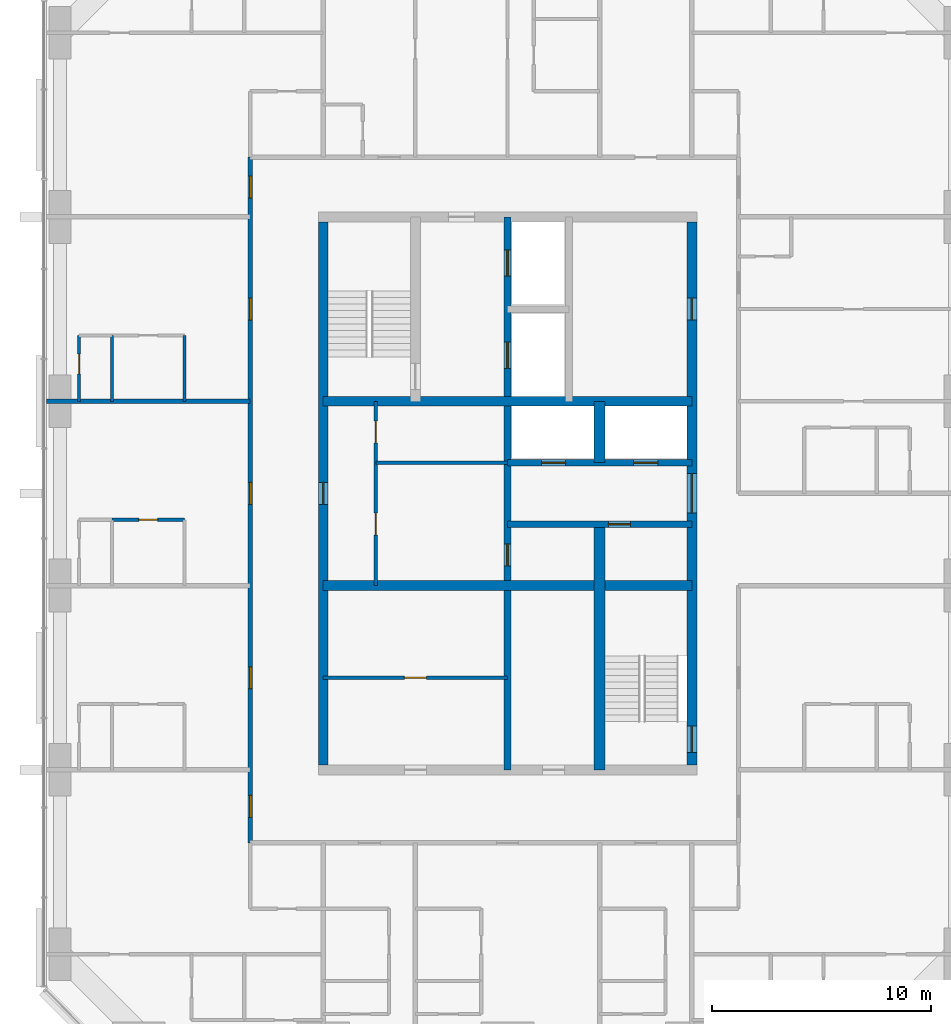
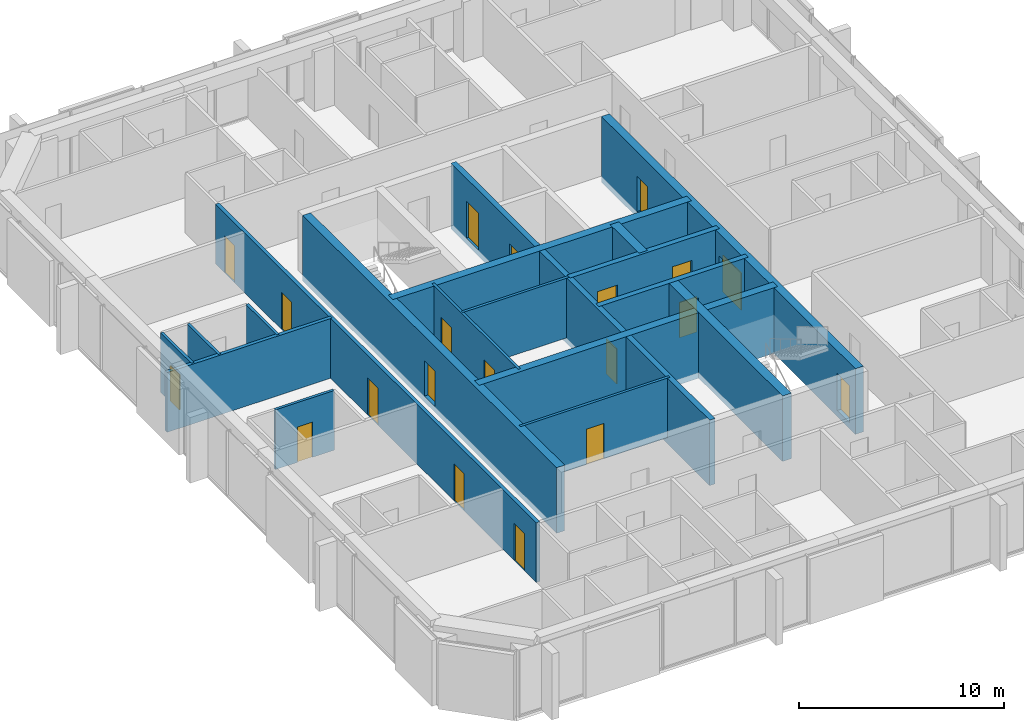
# One storey, part 8 of 12: 20 doors, 18 walls, 20 openings.
"""IFC4 building model written with IfcOpenShell, lengths in metres."""

from ifc_helpers import new_model, si_unit, direction, frame, frame_2d, origin, place, context, subcontext, project, spatial, rectangle, extrude, material, layer, layer_set, type_object, element, fill, save


model = new_model("IFC4")

# Units and contexts
model_context = context("Model", 3, precision=1e-05, world=origin(), true_north=direction((0.0, 1.0)))
body_context = subcontext(model_context, "Body", "Model", "MODEL_VIEW")
ifc_project = project(units=[si_unit("LENGTHUNIT", "METRE"), si_unit("AREAUNIT", "SQUARE_METRE"), si_unit("VOLUMEUNIT", "CUBIC_METRE"), si_unit("PLANEANGLEUNIT", "RADIAN"), si_unit("MASSUNIT", "GRAM", prefix="KILO")], contexts=[model_context])

# Site, building, storey
site_placement = place(None, origin())
site = spatial("IfcSite", under=ifc_project, at=site_placement, CompositionType="ELEMENT")
building_placement = place(site_placement, origin())
building = spatial("IfcBuilding", under=site, at=building_placement, Name="Dunama Terrace Hotel", CompositionType="ELEMENT")
storey_placement = place(building_placement, frame((0.0, 0.0, 249.0)))
storey = spatial("IfcBuildingStorey", under=building, at=storey_placement, Name="L64", CompositionType="ELEMENT", Elevation=249.0)

# Wall
ifc_material_1 = material(Name="Gypsum board partition", Category="masonry")
ifc_layer_1 = layer(ifc_material_1, 0.14990234375)
ifc_layer_set_1 = layer_set([ifc_layer_1], Name="Bathroom partition 150")
wall_type_1 = type_object("IfcWallType", Name="Bathroom partition 150", PredefinedType="PARTITIONING", material=ifc_layer_set_1)
wall_1_placement = place(storey_placement, frame((18.875, 33.60009765625, 0.0), z_axis=(0.0, 0.0, 1.0), x_axis=(0.0, 1.0, 0.0)))
element("IfcWall", 1, at=wall_1_placement, inside=storey, type_object=wall_type_1, Name="Bathroom partition 150 L64", PredefinedType="PARTITIONING", context=body_context, shape_type="SweptSolid", body=[
    extrude(rectangle(XDim=3.0, YDim=0.14990234375, at=frame_2d((1.5, 0.0))), origin(), (0.0, 0.0, 1.0), 3.550048828125),
])

# Wall, opening, door
wall_2_placement = place(storey_placement, frame((15.574951171875, 28.199951171875, 0.0), z_axis=(0.0, 0.0, 1.0), x_axis=(1.0, 0.0, 0.0)))
wall_2 = element("IfcWall", 2, at=wall_2_placement, inside=storey, type_object=wall_type_1, Name="Bathroom partition 150 L64", PredefinedType="PARTITIONING", context=body_context, shape_type="SweptSolid", body=[
    extrude(rectangle(XDim=3.300048828125, YDim=0.14990234375, at=frame_2d((1.64990234375, 0.0))), origin(), (0.0, 0.0, 1.0), 3.550048828125),
])
opening_1_placement = place(wall_2_placement, frame((1.22509765625, 0.0, 0.0)))
opening_1 = element("IfcOpeningElement", 3, at=opening_1_placement, cuts=wall_2, Name="Opening L62-64-036", PredefinedType="OPENING", context=body_context, shape_type="SweptSolid", body=[
    extrude(rectangle(XDim=0.85009765625, YDim=2.10009765625, at=frame_2d((0.425048828125, 1.050048828125))), frame((0.0, 0.0849609375, 0.0), z_axis=(0.0, -1.0, 0.0), x_axis=(1.0, 0.0, 0.0)), (0.0, 0.0, 1.0), 0.169921875),
])
ifc_material_2 = material(Name="Timber door with steel frame", Category="steel")
door_type_1 = type_object("IfcDoorType", Name="Bathroom door 850", OperationType="SINGLE_SWING_LEFT", PredefinedType="DOOR", material=ifc_material_2)
door_1_placement = place(opening_1_placement, frame((0.85009765625, 0.0, 0.0), z_axis=(0.0, 0.0, 1.0), x_axis=(-1.0, 0.0, 0.0)))
door_1 = element("IfcDoor", 4, at=door_1_placement, inside=storey, type_object=door_type_1, Name="Door to en-suite bathroom L62-64-036, type D2", OperationType="SINGLE_SWING_LEFT", OverallHeight=2.10009765625, OverallWidth=0.85009765625, PredefinedType="DOOR", context=body_context, shape_type="SweptSolid", body=[
    extrude(rectangle(XDim=0.85009765625, YDim=2.10009765625, at=frame_2d((0.425048828125, 1.050048828125))), frame((0.0, 0.025146484375, 0.0), z_axis=(0.0, -1.0, 0.0), x_axis=(1.0, 0.0, 0.0)), (0.0, 0.0, 1.0), 0.050048828125),
])
fill(opening_1, door_1)

# Wall, openings, doors
ifc_material_3 = material(Name="Concrete C50/60", Category="concrete")
ifc_layer_2 = layer(ifc_material_3, 0.300048828125)
ifc_layer_set_2 = layer_set([ifc_layer_2], Name="Core inner wall 300")
wall_type_2 = type_object("IfcWallType", Name="Core inner wall 300", PredefinedType="SHEAR", material=ifc_layer_set_2)
wall_3_placement = place(storey_placement, frame((33.60009765625, 16.800048828125, -0.35009765625), z_axis=(0.0, 0.0, 1.0), x_axis=(0.0, 1.0, 0.0)))
wall_3 = element("IfcWall", 5, at=wall_3_placement, inside=storey, type_object=wall_type_2, Name="Core inner wall 300 L64", PredefinedType="SHEAR", context=body_context, shape_type="SweptSolid", body=[
    extrude(rectangle(XDim=25.199951171875, YDim=0.300048828125, at=frame_2d((12.60009765625, 0.0))), origin(), (0.0, 0.0, 1.0), 3.900146484375),
])
opening_2_placement = place(wall_3_placement, frame((22.5, 0.0, 0.35009765625)))
opening_2 = element("IfcOpeningElement", 6, at=opening_2_placement, cuts=wall_3, Name="Opening L62-64-005", PredefinedType="OPENING", context=body_context, shape_type="SweptSolid", body=[
    extrude(rectangle(XDim=1.199951171875, YDim=2.199951171875, at=frame_2d((0.60009765625, 1.10009765625))), frame((0.0, 0.159912109375, 0.0), z_axis=(0.0, -1.0, 0.0), x_axis=(1.0, 0.0, 0.0)), (0.0, 0.0, 1.0), 0.320068359375),
])
opening_3_placement = place(wall_3_placement, frame((18.300048828125, 0.0, 0.35009765625)))
opening_3 = element("IfcOpeningElement", 7, at=opening_3_placement, cuts=wall_3, Name="Opening L62-64-006", PredefinedType="OPENING", context=body_context, shape_type="SweptSolid", body=[
    extrude(rectangle(XDim=1.199951171875, YDim=2.199951171875, at=frame_2d((0.60009765625, 1.10009765625))), frame((0.0, 0.159912109375, 0.0), z_axis=(0.0, -1.0, 0.0), x_axis=(1.0, 0.0, 0.0)), (0.0, 0.0, 1.0), 0.320068359375),
])
opening_4_placement = place(wall_3_placement, frame((9.300048828125, 0.0, 0.35009765625)))
opening_4 = element("IfcOpeningElement", 8, at=opening_4_placement, cuts=wall_3, Name="Opening L62-64-064", PredefinedType="OPENING", context=body_context, shape_type="SweptSolid", body=[
    extrude(rectangle(XDim=1.0, YDim=2.10009765625, at=frame_2d((0.5, 1.050048828125))), frame((0.0, 0.159912109375, 0.0), z_axis=(0.0, -1.0, 0.0), x_axis=(1.0, 0.0, 0.0)), (0.0, 0.0, 1.0), 0.320068359375),
])
ifc_material_4 = material(Name="Stainless steel lift door", Category="steel")
door_type_2 = type_object("IfcDoorType", Name="Firefighting lift landing door 1200", OperationType="DOUBLE_DOOR_SLIDING", PredefinedType="DOOR", material=ifc_material_4)
door_2_placement = place(opening_2_placement, origin())
door_2 = element("IfcDoor", 9, at=door_2_placement, inside=storey, type_object=door_type_2, Name="Landing door FL1 L62-64-005, type LD2", OperationType="DOUBLE_DOOR_SLIDING", OverallHeight=2.199951171875, OverallWidth=1.199951171875, PredefinedType="DOOR", context=body_context, shape_type="SweptSolid", body=[
    extrude(rectangle(XDim=1.199951171875, YDim=2.199951171875, at=frame_2d((0.60009765625, 1.10009765625))), frame((0.0, 0.02490234375, 0.0), z_axis=(0.0, -1.0, 0.0), x_axis=(1.0, 0.0, 0.0)), (0.0, 0.0, 1.0), 0.050048828125),
])
fill(opening_2, door_2)
door_3_placement = place(opening_3_placement, origin())
door_3 = element("IfcDoor", 10, at=door_3_placement, inside=storey, type_object=door_type_2, Name="Landing door FL2 L62-64-006, type LD2", OperationType="DOUBLE_DOOR_SLIDING", OverallHeight=2.199951171875, OverallWidth=1.199951171875, PredefinedType="DOOR", context=body_context, shape_type="SweptSolid", body=[
    extrude(rectangle(XDim=1.199951171875, YDim=2.199951171875, at=frame_2d((0.60009765625, 1.10009765625))), frame((0.0, 0.02490234375, 0.0), z_axis=(0.0, -1.0, 0.0), x_axis=(1.0, 0.0, 0.0)), (0.0, 0.0, 1.0), 0.050048828125),
])
fill(opening_3, door_3)
ifc_material_5 = material(Name="Timber door with steel frame", Category="steel")
door_type_3 = type_object("IfcDoorType", Name="Service door 1000", OperationType="SINGLE_SWING_LEFT", PredefinedType="DOOR", material=ifc_material_5)
door_4_placement = place(opening_4_placement, frame((1.0, 0.0, 0.0), z_axis=(0.0, 0.0, 1.0), x_axis=(-1.0, 0.0, 0.0)))
door_4 = element("IfcDoor", 11, at=door_4_placement, inside=storey, type_object=door_type_3, Name="Door to service riser L62-64-064, type D7", OperationType="SINGLE_SWING_RIGHT", OverallHeight=2.10009765625, OverallWidth=1.0, PredefinedType="DOOR", context=body_context, shape_type="SweptSolid", body=[
    extrude(rectangle(XDim=1.0, YDim=2.10009765625, at=frame_2d((0.5, 1.050048828125))), frame((0.0, 0.025146484375, 0.0), z_axis=(0.0, -1.0, 0.0), x_axis=(1.0, 0.0, 0.0)), (0.0, 0.0, 1.0), 0.050048828125),
])
fill(opening_4, door_4)

# Wall, opening, door
wall_4_placement = place(storey_placement, frame((33.60009765625, 28.0, -0.35009765625), z_axis=(0.0, 0.0, 1.0), x_axis=(1.0, 0.0, 0.0)))
wall_4 = element("IfcWall", 12, at=wall_4_placement, inside=storey, type_object=wall_type_2, Name="Core inner wall 300 L64", PredefinedType="SHEAR", context=body_context, shape_type="SweptSolid", body=[
    extrude(rectangle(XDim=8.39990234375, YDim=0.300048828125, at=frame_2d((4.199951171875, 0.0))), origin(), (0.0, 0.0, 1.0), 3.900146484375),
])
opening_5_placement = place(wall_4_placement, frame((4.60009765625, 0.0, 0.35009765625)))
opening_5 = element("IfcOpeningElement", 13, at=opening_5_placement, cuts=wall_4, Name="Opening L62-64-065", PredefinedType="OPENING", context=body_context, shape_type="SweptSolid", body=[
    extrude(rectangle(XDim=1.0, YDim=2.10009765625, at=frame_2d((0.5, 1.050048828125))), frame((0.0, 0.159912109375, 0.0), z_axis=(0.0, -1.0, 0.0), x_axis=(1.0, 0.0, 0.0)), (0.0, 0.0, 1.0), 0.320068359375),
])
door_5_placement = place(opening_5_placement, frame((1.0, 0.0, 0.0), z_axis=(0.0, 0.0, 1.0), x_axis=(-1.0, 0.0, 0.0)))
door_5 = element("IfcDoor", 14, at=door_5_placement, inside=storey, type_object=door_type_3, Name="Door to guest pantry L62-64-065, type D7", OperationType="SINGLE_SWING_RIGHT", OverallHeight=2.10009765625, OverallWidth=1.0, PredefinedType="DOOR", context=body_context, shape_type="SweptSolid", body=[
    extrude(rectangle(XDim=1.0, YDim=2.10009765625, at=frame_2d((0.5, 1.050048828125))), frame((0.0, 0.025146484375, 0.0), z_axis=(0.0, -1.0, 0.0), x_axis=(1.0, 0.0, 0.0)), (0.0, 0.0, 1.0), 0.050048828125),
])
fill(opening_5, door_5)

# Wall, openings, doors
wall_5_placement = place(storey_placement, frame((33.60009765625, 30.800048828125, -0.35009765625), z_axis=(0.0, 0.0, 1.0), x_axis=(1.0, 0.0, 0.0)))
wall_5 = element("IfcWall", 15, at=wall_5_placement, inside=storey, type_object=wall_type_2, Name="Core inner wall 300 L64", PredefinedType="SHEAR", context=body_context, shape_type="SweptSolid", body=[
    extrude(rectangle(XDim=8.39990234375, YDim=0.300048828125, at=frame_2d((4.199951171875, 0.0))), origin(), (0.0, 0.0, 1.0), 3.900146484375),
])
opening_6_placement = place(wall_5_placement, frame((1.550048828125, 0.0, 0.35009765625)))
opening_6 = element("IfcOpeningElement", 16, at=opening_6_placement, cuts=wall_5, Name="Opening L62-64-003", PredefinedType="OPENING", context=body_context, shape_type="SweptSolid", body=[
    extrude(rectangle(XDim=1.10009765625, YDim=2.199951171875, at=frame_2d((0.550048828125, 1.10009765625))), frame((0.0, 0.159912109375, 0.0), z_axis=(0.0, -1.0, 0.0), x_axis=(1.0, 0.0, 0.0)), (0.0, 0.0, 1.0), 0.320068359375),
])
opening_7_placement = place(wall_5_placement, frame((5.75, 0.0, 0.35009765625)))
opening_7 = element("IfcOpeningElement", 17, at=opening_7_placement, cuts=wall_5, Name="Opening L62-64-004", PredefinedType="OPENING", context=body_context, shape_type="SweptSolid", body=[
    extrude(rectangle(XDim=1.10009765625, YDim=2.199951171875, at=frame_2d((0.550048828125, 1.10009765625))), frame((0.0, 0.159912109375, 0.0), z_axis=(0.0, -1.0, 0.0), x_axis=(1.0, 0.0, 0.0)), (0.0, 0.0, 1.0), 0.320068359375),
])
ifc_material_6 = material(Name="Stainless steel lift door", Category="steel")
door_type_4 = type_object("IfcDoorType", Name="Lift landing door 1100", OperationType="DOUBLE_DOOR_SLIDING", PredefinedType="DOOR", material=ifc_material_6)
door_6_placement = place(opening_6_placement, origin())
door_6 = element("IfcDoor", 18, at=door_6_placement, inside=storey, type_object=door_type_4, Name="Landing door PD1 L62-64-003, type LD1", OperationType="DOUBLE_DOOR_SLIDING", OverallHeight=2.199951171875, OverallWidth=1.10009765625, PredefinedType="DOOR", context=body_context, shape_type="SweptSolid", body=[
    extrude(rectangle(XDim=1.10009765625, YDim=2.199951171875, at=frame_2d((0.550048828125, 1.10009765625))), frame((0.0, 0.02490234375, 0.0), z_axis=(0.0, -1.0, 0.0), x_axis=(1.0, 0.0, 0.0)), (0.0, 0.0, 1.0), 0.050048828125),
])
fill(opening_6, door_6)
door_7_placement = place(opening_7_placement, origin())
door_7 = element("IfcDoor", 19, at=door_7_placement, inside=storey, type_object=door_type_4, Name="Landing door PD2 L62-64-004, type LD1", OperationType="DOUBLE_DOOR_SLIDING", OverallHeight=2.199951171875, OverallWidth=1.10009765625, PredefinedType="DOOR", context=body_context, shape_type="SweptSolid", body=[
    extrude(rectangle(XDim=1.10009765625, YDim=2.199951171875, at=frame_2d((0.550048828125, 1.10009765625))), frame((0.0, 0.02490234375, 0.0), z_axis=(0.0, -1.0, 0.0), x_axis=(1.0, 0.0, 0.0)), (0.0, 0.0, 1.0), 0.050048828125),
])
fill(opening_7, door_7)

# Walls
ifc_material_7 = material(Name="Concrete C50/60", Category="concrete")
ifc_layer_3 = layer(ifc_material_7, 0.449951171875)
ifc_layer_set_3 = layer_set([ifc_layer_3], Name="Core inner wall 450")
wall_type_3 = type_object("IfcWallType", Name="Core inner wall 450", PredefinedType="SHEAR", material=ifc_layer_set_3)
for number, where, z_axis, x_axis, name in (
    (20, (25.199951171875, 25.199951171875, -0.35009765625), (0.0, 0.0, 1.0), (1.0, 0.0, 0.0), "Core inner wall 450 L64"),
    (21, (25.199951171875, 33.60009765625, -0.35009765625), (0.0, 0.0, 1.0), (1.0, 0.0, 0.0), "Core inner wall 450 L64"),
):
    element("IfcWall", number, at=place(storey_placement, frame(where, z_axis=z_axis, x_axis=x_axis)), inside=storey, type_object=wall_type_3, Name=name, PredefinedType="SHEAR", context=body_context, shape_type="SweptSolid", body=[
        extrude(rectangle(XDim=16.800048828125, YDim=0.449951171875, at=frame_2d((8.39990234375, 0.0))), origin(), (0.0, 0.0, 1.0), 3.900146484375),
    ])
ifc_material_8 = material(Name="Concrete C50/60", Category="concrete")
ifc_layer_4 = layer(ifc_material_8, 0.5)
ifc_layer_set_4 = layer_set([ifc_layer_4], Name="Core inner wall 500")
wall_type_4 = type_object("IfcWallType", Name="Core inner wall 500", PredefinedType="SHEAR", material=ifc_layer_set_4)
wall_6_placement = place(storey_placement, frame((37.800048828125, 16.800048828125, -0.35009765625), z_axis=(0.0, 0.0, 1.0), x_axis=(0.0, 1.0, 0.0)))
element("IfcWall", 22, at=wall_6_placement, inside=storey, type_object=wall_type_4, Name="Core inner wall 500 L64", PredefinedType="SHEAR", context=body_context, shape_type="SweptSolid", body=[
    extrude(rectangle(XDim=11.199951171875, YDim=0.5, at=frame_2d((5.60009765625, 0.0))), origin(), (0.0, 0.0, 1.0), 3.900146484375),
])
wall_7_placement = place(storey_placement, frame((37.800048828125, 30.800048828125, -0.35009765625), z_axis=(0.0, 0.0, 1.0), x_axis=(0.0, 1.0, 0.0)))
element("IfcWall", 23, at=wall_7_placement, inside=storey, type_object=wall_type_4, Name="Core inner wall 500 L64", PredefinedType="SHEAR", context=body_context, shape_type="SweptSolid", body=[
    extrude(rectangle(XDim=2.800048828125, YDim=0.5, at=frame_2d((1.39990234375, 0.0))), origin(), (0.0, 0.0, 1.0), 3.900146484375),
])

# Wall, openings, doors
ifc_material_9 = material(Name="Concrete C50/60", Category="concrete")
ifc_layer_5 = layer(ifc_material_9, 0.449951171875)
ifc_layer_set_5 = layer_set([ifc_layer_5], Name="Core wall 450")
wall_type_5 = type_object("IfcWallType", Name="Core wall 450", PredefinedType="SHEAR", material=ifc_layer_set_5)
wall_8_placement = place(storey_placement, frame((42.0, 17.02490234375, -0.35009765625), z_axis=(0.0, 0.0, 1.0), x_axis=(0.0, 1.0, 0.0)))
wall_8 = element("IfcWall", 24, at=wall_8_placement, inside=storey, type_object=wall_type_5, Name="Core wall east L64", PredefinedType="SHEAR", context=body_context, shape_type="SweptSolid", body=[
    extrude(rectangle(XDim=24.75, YDim=0.449951171875, at=frame_2d((12.375, 0.0))), origin(), (0.0, 0.0, 1.0), 3.900146484375),
])
opening_8_placement = place(wall_8_placement, frame((0.574951171875, 0.0, 0.35009765625)))
opening_8 = element("IfcOpeningElement", 25, at=opening_8_placement, cuts=wall_8, Name="Opening L62-64-002", PredefinedType="OPENING", context=body_context, shape_type="SweptSolid", body=[
    extrude(rectangle(XDim=1.199951171875, YDim=2.199951171875, at=frame_2d((0.60009765625, 1.10009765625))), frame((0.0, 0.23486328125, 0.0), z_axis=(0.0, -1.0, 0.0), x_axis=(1.0, 0.0, 0.0)), (0.0, 0.0, 1.0), 0.469970703125),
])
opening_9_placement = place(wall_8_placement, frame((11.47509765625, 0.0, 0.35009765625)))
opening_9 = element("IfcOpeningElement", 26, at=opening_9_placement, cuts=wall_8, Name="Opening L62-64-066", PredefinedType="OPENING", context=body_context, shape_type="SweptSolid", body=[
    extrude(rectangle(XDim=1.800048828125, YDim=2.199951171875, at=frame_2d((0.89990234375, 1.10009765625))), frame((0.0, 0.23486328125, 0.0), z_axis=(0.0, -1.0, 0.0), x_axis=(1.0, 0.0, 0.0)), (0.0, 0.0, 1.0), 0.469970703125),
])
opening_10_placement = place(wall_8_placement, frame((20.27490234375, 0.0, 0.35009765625)))
opening_10 = element("IfcOpeningElement", 27, at=opening_10_placement, cuts=wall_8, Name="Opening L62-64-068", PredefinedType="OPENING", context=body_context, shape_type="SweptSolid", body=[
    extrude(rectangle(XDim=1.0, YDim=2.10009765625, at=frame_2d((0.5, 1.050048828125))), frame((0.0, 0.23486328125, 0.0), z_axis=(0.0, -1.0, 0.0), x_axis=(1.0, 0.0, 0.0)), (0.0, 0.0, 1.0), 0.469970703125),
])
ifc_material_10 = material(Name="Timber door with steel frame", Category="steel")
door_type_5 = type_object("IfcDoorType", Name="Lift lobby double door 1800", OperationType="DOUBLE_DOOR_DOUBLE_SWING", PredefinedType="DOOR", material=ifc_material_10)
door_8_placement = place(opening_9_placement, origin())
door_8 = element("IfcDoor", 28, at=door_8_placement, inside=storey, type_object=door_type_5, Name="Door to lift lobby L62-64-066, type D3", OperationType="DOUBLE_DOOR_DOUBLE_SWING", OverallHeight=2.199951171875, OverallWidth=1.800048828125, PredefinedType="DOOR", context=body_context, shape_type="SweptSolid", body=[
    extrude(rectangle(XDim=1.800048828125, YDim=2.199951171875, at=frame_2d((0.89990234375, 1.10009765625))), frame((0.0, 0.02490234375, 0.0), z_axis=(0.0, -1.0, 0.0), x_axis=(1.0, 0.0, 0.0)), (0.0, 0.0, 1.0), 0.050048828125),
])
fill(opening_9, door_8)
door_9_placement = place(opening_10_placement, origin())
door_9 = element("IfcDoor", 29, at=door_9_placement, inside=storey, type_object=door_type_3, Name="Door to ice and vending room L62-64-068, type D7", OperationType="SINGLE_SWING_LEFT", OverallHeight=2.10009765625, OverallWidth=1.0, PredefinedType="DOOR", context=body_context, shape_type="SweptSolid", body=[
    extrude(rectangle(XDim=1.0, YDim=2.10009765625, at=frame_2d((0.5, 1.050048828125))), frame((0.0, 0.02490234375, 0.0), z_axis=(0.0, -1.0, 0.0), x_axis=(1.0, 0.0, 0.0)), (0.0, 0.0, 1.0), 0.050048828125),
])
fill(opening_10, door_9)
ifc_material_11 = material(Name="Timber door with steel frame", Category="steel")
door_type_6 = type_object("IfcDoorType", Name="Stair door 1200", OperationType="SINGLE_SWING_LEFT", PredefinedType="DOOR", material=ifc_material_11)
door_10_placement = place(opening_8_placement, origin())
door_10 = element("IfcDoor", 30, at=door_10_placement, inside=storey, type_object=door_type_6, Name="Stair door ST2 L62-64-002, type D5", OperationType="SINGLE_SWING_LEFT", OverallHeight=2.199951171875, OverallWidth=1.199951171875, PredefinedType="DOOR", context=body_context, shape_type="SweptSolid", body=[
    extrude(rectangle(XDim=1.199951171875, YDim=2.199951171875, at=frame_2d((0.60009765625, 1.10009765625))), frame((0.0, 0.02490234375, 0.0), z_axis=(0.0, -1.0, 0.0), x_axis=(1.0, 0.0, 0.0)), (0.0, 0.0, 1.0), 0.050048828125),
])
fill(opening_8, door_10)

# Wall, opening, door
wall_9_placement = place(storey_placement, frame((25.199951171875, 41.77490234375, -0.35009765625), z_axis=(0.0, 0.0, 1.0), x_axis=(0.0, -1.0, 0.0)))
wall_9 = element("IfcWall", 31, at=wall_9_placement, inside=storey, type_object=wall_type_5, Name="Core wall west L64", PredefinedType="SHEAR", context=body_context, shape_type="SweptSolid", body=[
    extrude(rectangle(XDim=24.75, YDim=0.449951171875, at=frame_2d((12.375, 0.0))), origin(), (0.0, 0.0, 1.0), 3.900146484375),
])
opening_11_placement = place(wall_9_placement, frame((11.875, 0.0, 0.35009765625)))
opening_11 = element("IfcOpeningElement", 32, at=opening_11_placement, cuts=wall_9, Name="Opening L62-64-061", PredefinedType="OPENING", context=body_context, shape_type="SweptSolid", body=[
    extrude(rectangle(XDim=1.0, YDim=2.10009765625, at=frame_2d((0.5, 1.050048828125))), frame((0.0, 0.23486328125, 0.0), z_axis=(0.0, -1.0, 0.0), x_axis=(1.0, 0.0, 0.0)), (0.0, 0.0, 1.0), 0.469970703125),
])
door_11_placement = place(opening_11_placement, origin())
door_11 = element("IfcDoor", 33, at=door_11_placement, inside=storey, type_object=door_type_3, Name="Door to staff passage L62-64-061, type D7", OperationType="SINGLE_SWING_LEFT", OverallHeight=2.10009765625, OverallWidth=1.0, PredefinedType="DOOR", context=body_context, shape_type="SweptSolid", body=[
    extrude(rectangle(XDim=1.0, YDim=2.10009765625, at=frame_2d((0.5, 1.050048828125))), frame((0.0, 0.02490234375, 0.0), z_axis=(0.0, -1.0, 0.0), x_axis=(1.0, 0.0, 0.0)), (0.0, 0.0, 1.0), 0.050048828125),
])
fill(opening_11, door_11)

# Wall, openings, doors
ifc_material_12 = material(Name="Concrete blockwork", Category="masonry")
ifc_layer_6 = layer(ifc_material_12, 0.199951171875)
ifc_layer_set_6 = layer_set([ifc_layer_6], Name="Corridor partition 200")
wall_type_6 = type_object("IfcWallType", Name="Corridor partition 200", PredefinedType="PARTITIONING", material=ifc_layer_set_6)
wall_10_placement = place(storey_placement, frame((21.875, 13.47509765625, 0.0), z_axis=(0.0, 0.0, 1.0), x_axis=(0.0, 1.0, 0.0)))
wall_10 = element("IfcWall", 34, at=wall_10_placement, inside=storey, type_object=wall_type_6, Name="Corridor partition 200 L64", PredefinedType="PARTITIONING", context=body_context, shape_type="SweptSolid", body=[
    extrude(rectangle(XDim=31.25, YDim=0.199951171875, at=frame_2d((15.625, 0.0))), origin(), (0.0, 0.0, 1.0), 3.550048828125),
])
opening_12_placement = place(wall_10_placement, frame((7.02490234375, 0.0, 0.0)))
opening_12 = element("IfcOpeningElement", 35, at=opening_12_placement, cuts=wall_10, Name="Opening L62-64-032", PredefinedType="OPENING", context=body_context, shape_type="SweptSolid", body=[
    extrude(rectangle(XDim=1.0, YDim=2.199951171875, at=frame_2d((0.5, 1.10009765625))), frame((0.0, 0.10986328125, 0.0), z_axis=(0.0, -1.0, 0.0), x_axis=(1.0, 0.0, 0.0)), (0.0, 0.0, 1.0), 0.219970703125),
])
opening_13_placement = place(wall_10_placement, frame((15.425048828125, 0.0, 0.0)))
opening_13 = element("IfcOpeningElement", 36, at=opening_13_placement, cuts=wall_10, Name="Opening L62-64-035", PredefinedType="OPENING", context=body_context, shape_type="SweptSolid", body=[
    extrude(rectangle(XDim=1.0, YDim=2.199951171875, at=frame_2d((0.5, 1.10009765625))), frame((0.0, 0.10986328125, 0.0), z_axis=(0.0, -1.0, 0.0), x_axis=(1.0, 0.0, 0.0)), (0.0, 0.0, 1.0), 0.219970703125),
])
opening_14_placement = place(wall_10_placement, frame((23.824951171875, 0.0, 0.0)))
opening_14 = element("IfcOpeningElement", 37, at=opening_14_placement, cuts=wall_10, Name="Opening L62-64-038", PredefinedType="OPENING", context=body_context, shape_type="SweptSolid", body=[
    extrude(rectangle(XDim=1.0, YDim=2.199951171875, at=frame_2d((0.5, 1.10009765625))), frame((0.0, 0.10986328125, 0.0), z_axis=(0.0, -1.0, 0.0), x_axis=(1.0, 0.0, 0.0)), (0.0, 0.0, 1.0), 0.219970703125),
])
opening_15_placement = place(wall_10_placement, frame((1.162109375, 0.0, 0.0)))
opening_15 = element("IfcOpeningElement", 38, at=opening_15_placement, cuts=wall_10, Name="Opening L62-64-041", PredefinedType="OPENING", context=body_context, shape_type="SweptSolid", body=[
    extrude(rectangle(XDim=1.0, YDim=2.199951171875, at=frame_2d((0.5, 1.10009765625))), frame((0.0, 0.10986328125, 0.0), z_axis=(0.0, -1.0, 0.0), x_axis=(1.0, 0.0, 0.0)), (0.0, 0.0, 1.0), 0.219970703125),
])
opening_16_placement = place(wall_10_placement, frame((29.386962890625, 0.0, 0.0)))
opening_16 = element("IfcOpeningElement", 39, at=opening_16_placement, cuts=wall_10, Name="Opening L62-64-056", PredefinedType="OPENING", context=body_context, shape_type="SweptSolid", body=[
    extrude(rectangle(XDim=1.0, YDim=2.199951171875, at=frame_2d((0.5, 1.10009765625))), frame((0.0, 0.10986328125, 0.0), z_axis=(0.0, -1.0, 0.0), x_axis=(1.0, 0.0, 0.0)), (0.0, 0.0, 1.0), 0.219970703125),
])
ifc_material_13 = material(Name="Timber door with steel frame", Category="steel")
door_type_7 = type_object("IfcDoorType", Name="Guest room door 1000", OperationType="SINGLE_SWING_LEFT", PredefinedType="DOOR", material=ifc_material_13)
door_12_placement = place(opening_12_placement, origin())
door_12 = element("IfcDoor", 40, at=door_12_placement, inside=storey, type_object=door_type_7, Name="Door to junior suite L62-64-032, type D1", OperationType="SINGLE_SWING_LEFT", OverallHeight=2.199951171875, OverallWidth=1.0, PredefinedType="DOOR", context=body_context, shape_type="SweptSolid", body=[
    extrude(rectangle(XDim=1.0, YDim=2.199951171875, at=frame_2d((0.5, 1.10009765625))), frame((0.0, 0.02490234375, 0.0), z_axis=(0.0, -1.0, 0.0), x_axis=(1.0, 0.0, 0.0)), (0.0, 0.0, 1.0), 0.050048828125),
])
fill(opening_12, door_12)
door_13_placement = place(opening_13_placement, origin())
door_13 = element("IfcDoor", 41, at=door_13_placement, inside=storey, type_object=door_type_7, Name="Door to junior suite L62-64-035, type D1", OperationType="SINGLE_SWING_LEFT", OverallHeight=2.199951171875, OverallWidth=1.0, PredefinedType="DOOR", context=body_context, shape_type="SweptSolid", body=[
    extrude(rectangle(XDim=1.0, YDim=2.199951171875, at=frame_2d((0.5, 1.10009765625))), frame((0.0, 0.02490234375, 0.0), z_axis=(0.0, -1.0, 0.0), x_axis=(1.0, 0.0, 0.0)), (0.0, 0.0, 1.0), 0.050048828125),
])
fill(opening_13, door_13)
door_14_placement = place(opening_14_placement, origin())
door_14 = element("IfcDoor", 42, at=door_14_placement, inside=storey, type_object=door_type_7, Name="Door to junior suite L62-64-038, type D1", OperationType="SINGLE_SWING_LEFT", OverallHeight=2.199951171875, OverallWidth=1.0, PredefinedType="DOOR", context=body_context, shape_type="SweptSolid", body=[
    extrude(rectangle(XDim=1.0, YDim=2.199951171875, at=frame_2d((0.5, 1.10009765625))), frame((0.0, 0.02490234375, 0.0), z_axis=(0.0, -1.0, 0.0), x_axis=(1.0, 0.0, 0.0)), (0.0, 0.0, 1.0), 0.050048828125),
])
fill(opening_14, door_14)
door_15_placement = place(opening_15_placement, origin())
door_15 = element("IfcDoor", 43, at=door_15_placement, inside=storey, type_object=door_type_7, Name="Door to grand corner suite living room L62-64-041, type D1", OperationType="SINGLE_SWING_LEFT", OverallHeight=2.199951171875, OverallWidth=1.0, PredefinedType="DOOR", context=body_context, shape_type="SweptSolid", body=[
    extrude(rectangle(XDim=1.0, YDim=2.199951171875, at=frame_2d((0.5, 1.10009765625))), frame((0.0, 0.02490234375, 0.0), z_axis=(0.0, -1.0, 0.0), x_axis=(1.0, 0.0, 0.0)), (0.0, 0.0, 1.0), 0.050048828125),
])
fill(opening_15, door_15)
door_16_placement = place(opening_16_placement, origin())
door_16 = element("IfcDoor", 44, at=door_16_placement, inside=storey, type_object=door_type_7, Name="Door to grand corner suite living room L62-64-056, type D1", OperationType="SINGLE_SWING_LEFT", OverallHeight=2.199951171875, OverallWidth=1.0, PredefinedType="DOOR", context=body_context, shape_type="SweptSolid", body=[
    extrude(rectangle(XDim=1.0, YDim=2.199951171875, at=frame_2d((0.5, 1.10009765625))), frame((0.0, 0.02490234375, 0.0), z_axis=(0.0, -1.0, 0.0), x_axis=(1.0, 0.0, 0.0)), (0.0, 0.0, 1.0), 0.050048828125),
])
fill(opening_16, door_16)

# Wall
ifc_material_14 = material(Name="Concrete blockwork", Category="masonry")
ifc_layer_7 = layer(ifc_material_14, 0.199951171875)
ifc_layer_set_7 = layer_set([ifc_layer_7], Name="Party wall 200")
wall_type_7 = type_object("IfcWallType", Name="Party wall 200", PredefinedType="PARTITIONING", material=ifc_layer_set_7)
wall_11_placement = place(storey_placement, frame((12.58203125, 33.60009765625, 0.0), z_axis=(0.0, 0.0, 1.0), x_axis=(1.0, 0.0, 0.0)))
element("IfcWall", 45, at=wall_11_placement, inside=storey, type_object=wall_type_7, Name="Party wall 200 L64", PredefinedType="PARTITIONING", context=body_context, shape_type="SweptSolid", body=[
    extrude(rectangle(XDim=9.29296875, YDim=0.199951171875, at=frame_2d((4.646484375, 0.0))), origin(), (0.0, 0.0, 1.0), 3.550048828125),
])

# Wall, opening, door
ifc_material_15 = material(Name="Gypsum board partition", Category="masonry")
ifc_layer_8 = layer(ifc_material_15, 0.14990234375)
ifc_layer_set_8 = layer_set([ifc_layer_8], Name="Room partition 150")
wall_type_8 = type_object("IfcWallType", Name="Room partition 150", PredefinedType="PARTITIONING", material=ifc_layer_set_8)
wall_12_placement = place(storey_placement, frame((14.074951171875, 33.60009765625, 0.0), z_axis=(0.0, 0.0, 1.0), x_axis=(0.0, 1.0, 0.0)))
wall_12 = element("IfcWall", 46, at=wall_12_placement, inside=storey, type_object=wall_type_8, Name="Room partition 150 L64", PredefinedType="PARTITIONING", context=body_context, shape_type="SweptSolid", body=[
    extrude(rectangle(XDim=3.0, YDim=0.14990234375, at=frame_2d((1.5, 0.0))), origin(), (0.0, 0.0, 1.0), 3.550048828125),
])
opening_17_placement = place(wall_12_placement, frame((1.25, 0.0, 0.0)))
opening_17 = element("IfcOpeningElement", 47, at=opening_17_placement, cuts=wall_12, Name="Opening L62-64-040", PredefinedType="OPENING", context=body_context, shape_type="SweptSolid", body=[
    extrude(rectangle(XDim=0.89990234375, YDim=2.10009765625, at=frame_2d((0.449951171875, 1.050048828125))), frame((0.0, 0.0849609375, 0.0), z_axis=(0.0, -1.0, 0.0), x_axis=(1.0, 0.0, 0.0)), (0.0, 0.0, 1.0), 0.169921875),
])
ifc_material_16 = material(Name="Timber door with steel frame", Category="steel")
door_type_8 = type_object("IfcDoorType", Name="Suite internal door 900", OperationType="SINGLE_SWING_LEFT", PredefinedType="DOOR", material=ifc_material_16)
door_17_placement = place(opening_17_placement, frame((0.89990234375, 0.0, 0.0), z_axis=(0.0, 0.0, 1.0), x_axis=(-1.0, 0.0, 0.0)))
door_17 = element("IfcDoor", 48, at=door_17_placement, inside=storey, type_object=door_type_8, Name="Door to walk-in wardrobe L62-64-040, type D16", OperationType="SINGLE_SWING_RIGHT", OverallHeight=2.10009765625, OverallWidth=0.89990234375, PredefinedType="DOOR", context=body_context, shape_type="SweptSolid", body=[
    extrude(rectangle(XDim=0.89990234375, YDim=2.10009765625, at=frame_2d((0.449951171875, 1.050048828125))), frame((0.0, 0.025146484375, 0.0), z_axis=(0.0, -1.0, 0.0), x_axis=(1.0, 0.0, 0.0)), (0.0, 0.0, 1.0), 0.050048828125),
])
fill(opening_17, door_17)

# Wall
wall_13_placement = place(storey_placement, frame((15.574951171875, 33.60009765625, 0.0), z_axis=(0.0, 0.0, 1.0), x_axis=(0.0, 1.0, 0.0)))
element("IfcWall", 49, at=wall_13_placement, inside=storey, type_object=wall_type_8, Name="Room partition 150 L64", PredefinedType="PARTITIONING", context=body_context, shape_type="SweptSolid", body=[
    extrude(rectangle(XDim=3.0, YDim=0.14990234375, at=frame_2d((1.5, 0.0))), origin(), (0.0, 0.0, 1.0), 3.550048828125),
])

# Wall, openings, doors
wall_14_placement = place(storey_placement, frame((27.60009765625, 25.199951171875, 0.0), z_axis=(0.0, 0.0, 1.0), x_axis=(0.0, 1.0, 0.0)))
wall_14 = element("IfcWall", 50, at=wall_14_placement, inside=storey, type_object=wall_type_8, Name="Room partition 150 L64", PredefinedType="PARTITIONING", context=body_context, shape_type="SweptSolid", body=[
    extrude(rectangle(XDim=8.400146484375, YDim=0.14990234375, at=frame_2d((4.2001953125, 0.0))), origin(), (0.0, 0.0, 1.0), 3.550048828125),
])
opening_18_placement = place(wall_14_placement, frame((2.300048828125, 0.0, 0.0)))
opening_18 = element("IfcOpeningElement", 51, at=opening_18_placement, cuts=wall_14, Name="Opening L62-64-062", PredefinedType="OPENING", context=body_context, shape_type="SweptSolid", body=[
    extrude(rectangle(XDim=1.0, YDim=2.10009765625, at=frame_2d((0.5, 1.050048828125))), frame((0.0, 0.0849609375, 0.0), z_axis=(0.0, -1.0, 0.0), x_axis=(1.0, 0.0, 0.0)), (0.0, 0.0, 1.0), 0.169921875),
])
opening_19_placement = place(wall_14_placement, frame((6.5, 0.0, 0.0)))
opening_19 = element("IfcOpeningElement", 52, at=opening_19_placement, cuts=wall_14, Name="Opening L62-64-063", PredefinedType="OPENING", context=body_context, shape_type="SweptSolid", body=[
    extrude(rectangle(XDim=1.0, YDim=2.10009765625, at=frame_2d((0.5, 1.050048828125))), frame((0.0, 0.0849609375, 0.0), z_axis=(0.0, -1.0, 0.0), x_axis=(1.0, 0.0, 0.0)), (0.0, 0.0, 1.0), 0.169921875),
])
door_18_placement = place(opening_18_placement, frame((1.0, 0.0, 0.0), z_axis=(0.0, 0.0, 1.0), x_axis=(-1.0, 0.0, 0.0)))
door_18 = element("IfcDoor", 53, at=door_18_placement, inside=storey, type_object=door_type_3, Name="Door to riser room L62-64-062, type D7", OperationType="SINGLE_SWING_RIGHT", OverallHeight=2.10009765625, OverallWidth=1.0, PredefinedType="DOOR", context=body_context, shape_type="SweptSolid", body=[
    extrude(rectangle(XDim=1.0, YDim=2.10009765625, at=frame_2d((0.5, 1.050048828125))), frame((0.0, 0.025146484375, 0.0), z_axis=(0.0, -1.0, 0.0), x_axis=(1.0, 0.0, 0.0)), (0.0, 0.0, 1.0), 0.050048828125),
])
fill(opening_18, door_18)
door_19_placement = place(opening_19_placement, frame((1.0, 0.0, 0.0), z_axis=(0.0, 0.0, 1.0), x_axis=(-1.0, 0.0, 0.0)))
door_19 = element("IfcDoor", 54, at=door_19_placement, inside=storey, type_object=door_type_3, Name="Door to staff locker room L62-64-063, type D7", OperationType="SINGLE_SWING_LEFT", OverallHeight=2.10009765625, OverallWidth=1.0, PredefinedType="DOOR", context=body_context, shape_type="SweptSolid", body=[
    extrude(rectangle(XDim=1.0, YDim=2.10009765625, at=frame_2d((0.5, 1.050048828125))), frame((0.0, 0.025146484375, 0.0), z_axis=(0.0, -1.0, 0.0), x_axis=(1.0, 0.0, 0.0)), (0.0, 0.0, 1.0), 0.050048828125),
])
fill(opening_19, door_19)

# Wall, opening, door
wall_15_placement = place(storey_placement, frame((25.199951171875, 21.0, 0.0), z_axis=(0.0, 0.0, 1.0), x_axis=(1.0, 0.0, 0.0)))
wall_15 = element("IfcWall", 55, at=wall_15_placement, inside=storey, type_object=wall_type_8, Name="Room partition 150 L64", PredefinedType="PARTITIONING", context=body_context, shape_type="SweptSolid", body=[
    extrude(rectangle(XDim=8.400146484375, YDim=0.14990234375, at=frame_2d((4.2001953125, 0.0))), origin(), (0.0, 0.0, 1.0), 3.550048828125),
])
opening_20_placement = place(wall_15_placement, frame((3.699951171875, 0.0, 0.0)))
opening_20 = element("IfcOpeningElement", 56, at=opening_20_placement, cuts=wall_15, Name="Opening L62-64-070", PredefinedType="OPENING", context=body_context, shape_type="SweptSolid", body=[
    extrude(rectangle(XDim=1.0, YDim=2.10009765625, at=frame_2d((0.5, 1.050048828125))), frame((0.0, 0.0849609375, 0.0), z_axis=(0.0, -1.0, 0.0), x_axis=(1.0, 0.0, 0.0)), (0.0, 0.0, 1.0), 0.169921875),
])
door_20_placement = place(opening_20_placement, origin())
door_20 = element("IfcDoor", 57, at=door_20_placement, inside=storey, type_object=door_type_3, Name="Door to stair pressurisation fan room L62-64-070, type D7", OperationType="SINGLE_SWING_LEFT", OverallHeight=2.10009765625, OverallWidth=1.0, PredefinedType="DOOR", context=body_context, shape_type="SweptSolid", body=[
    extrude(rectangle(XDim=1.0, YDim=2.10009765625, at=frame_2d((0.5, 1.050048828125))), frame((0.0, 0.02490234375, 0.0), z_axis=(0.0, -1.0, 0.0), x_axis=(1.0, 0.0, 0.0)), (0.0, 0.0, 1.0), 0.050048828125),
])
fill(opening_20, door_20)

# Wall
wall_16_placement = place(storey_placement, frame((27.60009765625, 30.800048828125, 0.0), z_axis=(0.0, 0.0, 1.0), x_axis=(1.0, 0.0, 0.0)))
element("IfcWall", 58, at=wall_16_placement, inside=storey, type_object=wall_type_8, Name="Room partition 150 L64", PredefinedType="PARTITIONING", context=body_context, shape_type="SweptSolid", body=[
    extrude(rectangle(XDim=6.0, YDim=0.14990234375, at=frame_2d((3.0, 0.0))), origin(), (0.0, 0.0, 1.0), 3.550048828125),
])

save(model, "model.ifc")
